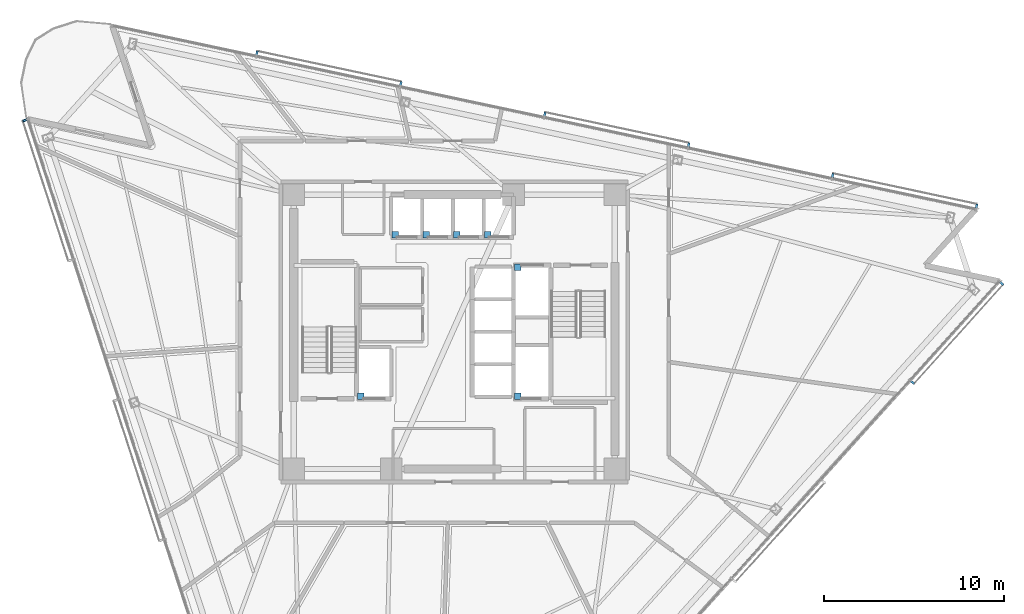
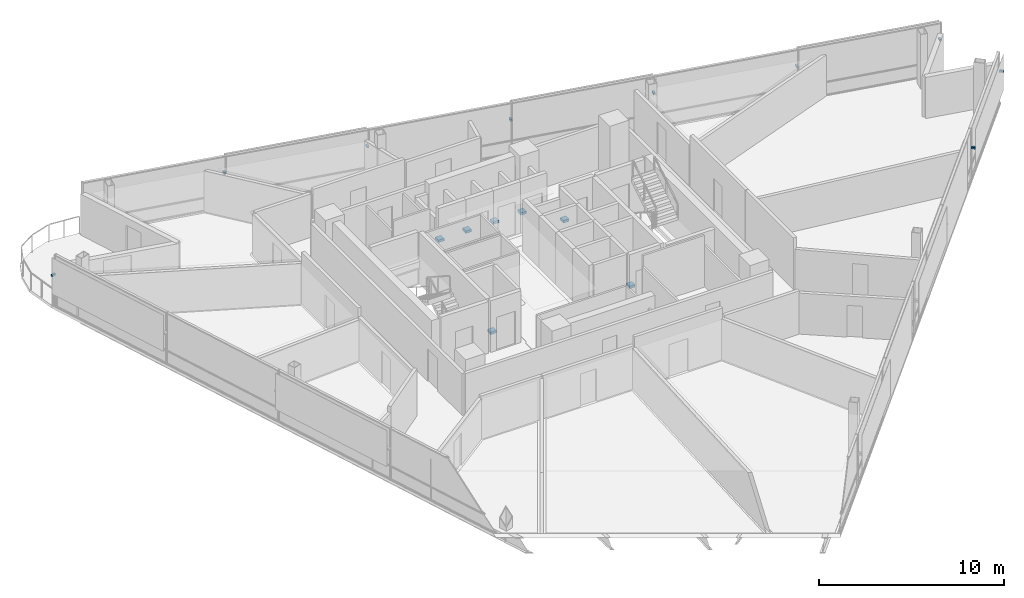
# One storey, part 14 of 17: 16 discrete accessories.
"""IFC4 building model written with IfcOpenShell, lengths in metres."""

from ifc_helpers import new_model, si_unit, direction, frame, origin, origin_2d, place, context, subcontext, project, spatial, rectangle, extrude, material, type_object, element, save


model = new_model("IFC4")

# Units and contexts
model_context = context("Model", 3, precision=1e-05, world=origin(), true_north=direction((0.0, 1.0)))
body_context = subcontext(model_context, "Body", "Model", "MODEL_VIEW")
ifc_project = project(units=[si_unit("LENGTHUNIT", "METRE"), si_unit("AREAUNIT", "SQUARE_METRE"), si_unit("VOLUMEUNIT", "CUBIC_METRE"), si_unit("PLANEANGLEUNIT", "RADIAN"), si_unit("MASSUNIT", "GRAM", prefix="KILO")], contexts=[model_context])

# Site, building, storey
site_placement = place(None, origin())
site = spatial("IfcSite", under=ifc_project, at=site_placement, CompositionType="ELEMENT")
building_placement = place(site_placement, origin())
building = spatial("IfcBuilding", under=site, at=building_placement, Name="Tharavind Bronze Gate", CompositionType="ELEMENT")
storey_placement = place(building_placement, frame((0.0, 0.0, 214.85009765625)))
storey = spatial("IfcBuildingStorey", under=building, at=storey_placement, Name="L55", CompositionType="ELEMENT", Elevation=214.85009765625)

# Discrete accessories
ifc_material_1 = material(Name="Galvanised Steel S355", Category="steel")
discrete_accessory_type_1 = type_object("IfcDiscreteAccessoryType", Name="LIFT GUIDE RAIL BRACKET", PredefinedType="BRACKET", material=ifc_material_1)
for number, where, z_axis, x_axis, name in (
    (1, (-3.280029296875, 5.3701171875, 1.1201171875), (0.0, 0.0, 1.0), (1.0, 0.0, 0.0), "Lift PL5 guide rail bracket at L55"),
    (2, (-1.5673828125, 5.3701171875, 1.1201171875), (0.0, 0.0, 1.0), (1.0, 0.0, 0.0), "Lift PL6 guide rail bracket at L55"),
    (3, (0.14501953125, 5.3701171875, 1.1201171875), (0.0, 0.0, 1.0), (1.0, 0.0, 0.0), "Lift PL7 guide rail bracket at L55"),
    (4, (1.857421875, 5.3701171875, 1.1201171875), (0.0, 0.0, 1.0), (1.0, 0.0, 0.0), "Lift PL8 guide rail bracket at L55"),
    (5, (-5.179931640625, -3.580078125, 1.1201171875), (0.0, 0.0, 1.0), (1.0, 0.0, 0.0), "Lift FFL1 guide rail bracket at L55"),
    (6, (3.5, 3.580078125, 1.1201171875), (0.0, 0.0, 1.0), (1.0, 0.0, 0.0), "Lift FFL2 guide rail bracket at L55"),
    (7, (3.5, -3.580078125, 1.1201171875), (0.0, 0.0, 1.0), (1.0, 0.0, 0.0), "Lift SVL1 guide rail bracket at L55"),
):
    element("IfcDiscreteAccessory", number, at=place(storey_placement, frame(where, z_axis=z_axis, x_axis=x_axis)), inside=storey, type_object=discrete_accessory_type_1, Name=name, PredefinedType="BRACKET", context=body_context, shape_type="SweptSolid", body=[
        extrude(rectangle(XDim=0.360107421875, YDim=0.360107421875, at=origin_2d()), origin(), (0.0, 0.0, 1.0), 0.159912109375),
    ])
ifc_material_2 = material(Name="Stainless Steel 316", Category="steel")
discrete_accessory_type_2 = type_object("IfcDiscreteAccessoryType", Name="SOLAR SCREEN STANDOFF BRACKET", PredefinedType="BRACKET", material=ifc_material_2)
for number, where, z_axis, x_axis, name in (
    (8, (-23.801513671875, 11.724853515625, 2.099853515625), (0.0, 0.0, 1.0), (0.309016994375, -0.951056516295, 0.0), "CW-L55-S1 solar screen bracket 1.1"),
    (9, (25.388671875, -2.80126953125, 2.099853515625), (0.0, 0.0, 1.0), (0.669130606359, 0.743144825477, 0.0), "CW-L55-S2 solar screen bracket 7.1"),
    (10, (30.333251953125, 2.690185546875, 2.099853515625), (0.0, 0.0, 1.0), (0.669130606359, 0.743144825477, 0.0), "CW-L55-S2 solar screen bracket 7.2"),
    (11, (28.942626953125, 6.9697265625, 2.099853515625), (0.0, 0.0, 1.0), (-0.978147600734, 0.207911690818, 0.0), "CW-L55-S3 solar screen bracket 1.1"),
    (12, (20.965087890625, 8.665283203125, 2.099853515625), (0.0, 0.0, 1.0), (-0.978147600734, 0.207911690818, 0.0), "CW-L55-S3 solar screen bracket 1.2"),
    (13, (12.98779296875, 10.361083984375, 2.099853515625), (0.0, 0.0, 1.0), (-0.978147600734, 0.207911690818, 0.0), "CW-L55-S3 solar screen bracket 3.1"),
    (14, (5.01025390625, 12.056640625, 2.099853515625), (0.0, 0.0, 1.0), (-0.978147600734, 0.207911690818, 0.0), "CW-L55-S3 solar screen bracket 3.2"),
    (15, (-2.96728515625, 13.752197265625, 2.099853515625), (0.0, 0.0, 1.0), (-0.978147600734, 0.207911690818, 0.0), "CW-L55-S3 solar screen bracket 5.1"),
    (16, (-10.94482421875, 15.447998046875, 2.099853515625), (0.0, 0.0, 1.0), (-0.978147600734, 0.207911690818, 0.0), "CW-L55-S3 solar screen bracket 5.2"),
):
    element("IfcDiscreteAccessory", number, at=place(storey_placement, frame(where, z_axis=z_axis, x_axis=x_axis)), inside=storey, type_object=discrete_accessory_type_2, Name=name, PredefinedType="BRACKET", context=body_context, shape_type="SweptSolid", body=[
        extrude(rectangle(XDim=0.1201171875, YDim=0.239990234375, at=origin_2d()), origin(), (0.0, 0.0, 1.0), 0.1201171875),
    ])

save(model, "model.ifc")
